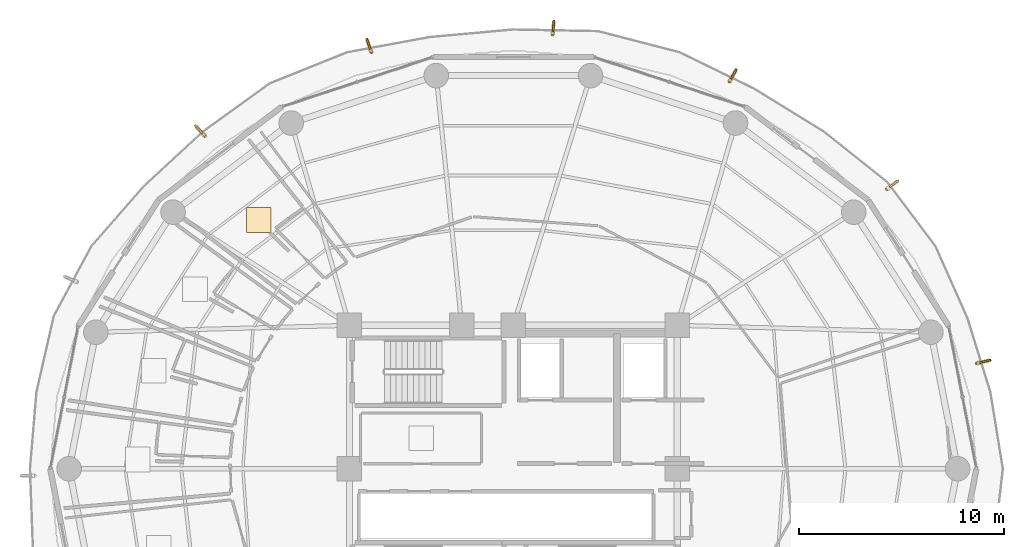
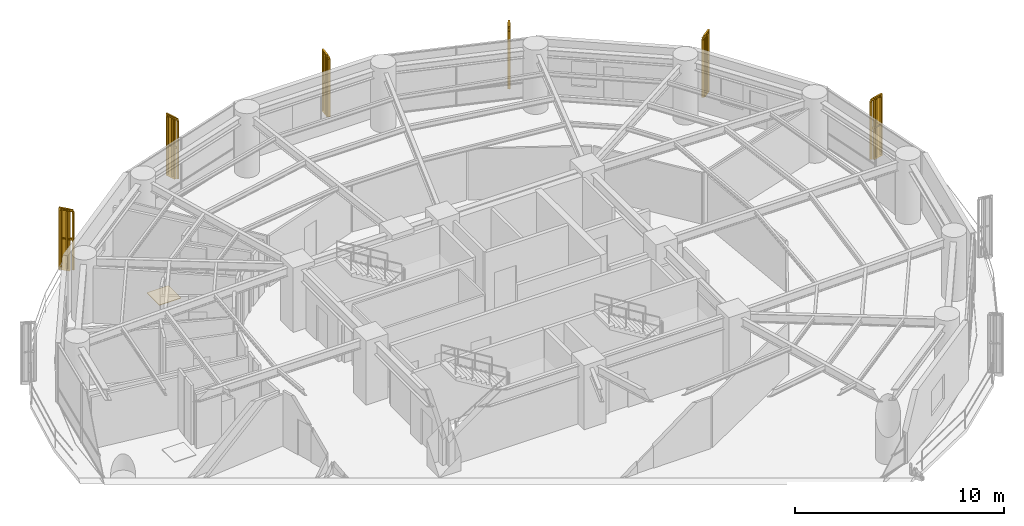
# One storey, part 27 of 27: 6 railings, 6 shading devices, 1 covering.
"""IFC4 building model written with IfcOpenShell, lengths in metres."""

from ifc_helpers import new_model, si_unit, direction, frame, origin, origin_2d, place, context, subcontext, project, spatial, polyline, rectangle, outline, extrude, source, transform, mapped, material, layer, layer_set, type_object, element, save


model = new_model("IFC4")

# Units and contexts
model_context = context("Model", 3, precision=1e-05, world=origin(), true_north=direction((0.0, 1.0)))
body_context = subcontext(model_context, "Body", "Model", "MODEL_VIEW")
ifc_project = project(units=[si_unit("LENGTHUNIT", "METRE"), si_unit("AREAUNIT", "SQUARE_METRE"), si_unit("VOLUMEUNIT", "CUBIC_METRE"), si_unit("PLANEANGLEUNIT", "RADIAN"), si_unit("MASSUNIT", "GRAM", prefix="KILO")], contexts=[model_context])

# Site, building, storey
site_placement = place(None, origin())
site = spatial("IfcSite", under=ifc_project, at=site_placement, CompositionType="ELEMENT")
building_placement = place(site_placement, origin())
building = spatial("IfcBuilding", under=site, at=building_placement, Name="Kelanora Arch Commons", CompositionType="ELEMENT")
storey_placement = place(building_placement, frame((0.0, 0.0, 169.35009765625)))
storey = spatial("IfcBuildingStorey", under=building, at=storey_placement, Name="L43", CompositionType="ELEMENT", Elevation=169.35009765625)

# Railings
ifc_material_1 = material(Name="Anodised bronze vertical shading fin rib assembly")
railing_type = type_object("IfcRailingType", Name="RAIL-FIN-BRZ", PredefinedType="BALUSTRADE", material=ifc_material_1)
railing_1_placement = place(storey_placement, frame((96.6083984375, 63.147216796875, -0.02001953125)))
element("IfcRailing", 1, at=railing_1_placement, inside=storey, type_object=railing_type, Name="Sweeping Bronze Vertical Fin Blade L43-01", PredefinedType="BALUSTRADE", context=body_context, shape_type="SweptSolid", body=[
    extrude(outline(polyline([(0.06982421875, 0.0), (0.034912109375, 0.060546875), (-0.034912109375, 0.060546875), (-0.06982421875, 0.0), (-0.034912109375, -0.060546875), (0.034912109375, -0.060546875), (0.06982421875, 0.0)])), frame((0.0, 0.0, 3.419921875), z_axis=(0.974995732268, 0.22222358574, 0.0), x_axis=(-0.22222358574, 0.974995732268, 0.0)), (0.0, 0.0, 1.0), 0.595458984375),
    extrude(outline(polyline([(0.06982421875, 0.0), (0.034912109375, 0.060546875), (-0.034912109375, 0.060546875), (-0.06982421875, 0.0), (-0.034912109375, -0.060546875), (0.034912109375, -0.060546875), (0.06982421875, 0.0)])), frame((0.0, 0.0, 1.7451171875), z_axis=(0.974995732268, 0.22222358574, 0.0), x_axis=(-0.22222358574, 0.974995732268, 0.0)), (0.0, 0.0, 1.0), 0.595458984375),
    extrude(outline(polyline([(0.080078125, 0.0), (0.0400390625, 0.0693359375), (-0.0400390625, 0.0693359375), (-0.080078125, 0.0), (-0.0400390625, -0.0693359375), (0.0400390625, -0.0693359375), (0.080078125, 0.0)])), origin(), (0.0, 0.0, 1.0), 3.35009765625),
    extrude(outline(polyline([(0.080078125, 0.0), (0.0400390625, 0.0693359375), (-0.0400390625, 0.0693359375), (-0.080078125, 0.0), (-0.0400390625, -0.0693359375), (0.0400390625, -0.0693359375), (0.080078125, 0.0)])), frame((0.290283203125, 0.066162109375, 0.0)), (0.0, 0.0, 1.0), 3.35009765625),
    extrude(outline(polyline([(0.080078125, 0.0), (0.0400390625, 0.0693359375), (-0.0400390625, 0.0693359375), (-0.080078125, 0.0), (-0.0400390625, -0.0693359375), (0.0400390625, -0.0693359375), (0.080078125, 0.0)])), frame((0.58056640625, 0.13232421875, 0.0)), (0.0, 0.0, 1.0), 3.35009765625),
])
railing_2_placement = place(storey_placement, frame((92.22900390625, 71.64990234375, -0.02001953125)))
element("IfcRailing", 2, at=railing_2_placement, inside=storey, type_object=railing_type, Name="Sweeping Bronze Vertical Fin Blade L43-02", PredefinedType="BALUSTRADE", context=body_context, shape_type="SweptSolid", body=[
    extrude(outline(polyline([(0.06982421875, 0.0), (0.034912109375, 0.060546875), (-0.034912109375, 0.060546875), (-0.06982421875, 0.0), (-0.034912109375, -0.060546875), (0.034912109375, -0.060546875), (0.06982421875, 0.0)])), frame((0.0, 0.0, 3.419921875), z_axis=(0.800393463964, 0.599475022702, 0.0), x_axis=(-0.599475022702, 0.800393463964, 0.0)), (0.0, 0.0, 1.0), 0.595458984375),
    extrude(outline(polyline([(0.06982421875, 0.0), (0.034912109375, 0.060546875), (-0.034912109375, 0.060546875), (-0.06982421875, 0.0), (-0.034912109375, -0.060546875), (0.034912109375, -0.060546875), (0.06982421875, 0.0)])), frame((0.0, 0.0, 1.7451171875), z_axis=(0.800393463964, 0.599475022702, 0.0), x_axis=(-0.599475022702, 0.800393463964, 0.0)), (0.0, 0.0, 1.0), 0.595458984375),
    extrude(outline(polyline([(0.080078125, 0.0), (0.0400390625, 0.0693359375), (-0.0400390625, 0.0693359375), (-0.080078125, 0.0), (-0.0400390625, -0.0693359375), (0.0400390625, -0.0693359375), (0.080078125, 0.0)])), origin(), (0.0, 0.0, 1.0), 3.35009765625),
    extrude(outline(polyline([(0.080078125, 0.0), (0.0400390625, 0.0693359375), (-0.0400390625, 0.0693359375), (-0.080078125, 0.0), (-0.0400390625, -0.0693359375), (0.0400390625, -0.0693359375), (0.080078125, 0.0)])), frame((0.23828125, 0.178466796875, 0.0)), (0.0, 0.0, 1.0), 3.35009765625),
    extrude(outline(polyline([(0.080078125, 0.0), (0.0400390625, 0.0693359375), (-0.0400390625, 0.0693359375), (-0.080078125, 0.0), (-0.0400390625, -0.0693359375), (0.0400390625, -0.0693359375), (0.080078125, 0.0)])), frame((0.4765625, 0.35693359375, 0.0)), (0.0, 0.0, 1.0), 3.35009765625),
])
railing_3_placement = place(storey_placement, frame((84.546875, 76.891357421875, -0.02001953125)))
element("IfcRailing", 3, at=railing_3_placement, inside=storey, type_object=railing_type, Name="Sweeping Bronze Vertical Fin Blade L43-03", PredefinedType="BALUSTRADE", context=body_context, shape_type="SweptSolid", body=[
    extrude(outline(polyline([(0.06982421875, 0.0), (0.034912109375, 0.060546875), (-0.034912109375, 0.060546875), (-0.06982421875, 0.0), (-0.034912109375, -0.060546875), (0.034912109375, -0.060546875), (0.06982421875, 0.0)])), frame((0.0, 0.0, 3.419921875), z_axis=(0.487417041542, 0.87316930066, 0.0), x_axis=(-0.87316930066, 0.487417041542, 0.0)), (0.0, 0.0, 1.0), 0.595458984375),
    extrude(outline(polyline([(0.06982421875, 0.0), (0.034912109375, 0.060546875), (-0.034912109375, 0.060546875), (-0.06982421875, 0.0), (-0.034912109375, -0.060546875), (0.034912109375, -0.060546875), (0.06982421875, 0.0)])), frame((0.0, 0.0, 1.7451171875), z_axis=(0.487417041542, 0.87316930066, 0.0), x_axis=(-0.87316930066, 0.487417041542, 0.0)), (0.0, 0.0, 1.0), 0.595458984375),
    extrude(outline(polyline([(0.080078125, 0.0), (0.0400390625, 0.0693359375), (-0.0400390625, 0.0693359375), (-0.080078125, 0.0), (-0.0400390625, -0.0693359375), (0.0400390625, -0.0693359375), (0.080078125, 0.0)])), origin(), (0.0, 0.0, 1.0), 3.35009765625),
    extrude(outline(polyline([(0.080078125, 0.0), (0.0400390625, 0.0693359375), (-0.0400390625, 0.0693359375), (-0.080078125, 0.0), (-0.0400390625, -0.0693359375), (0.0400390625, -0.0693359375), (0.080078125, 0.0)])), frame((0.14501953125, 0.260009765625, 0.0)), (0.0, 0.0, 1.0), 3.35009765625),
    extrude(outline(polyline([(0.080078125, 0.0), (0.0400390625, 0.0693359375), (-0.0400390625, 0.0693359375), (-0.080078125, 0.0), (-0.0400390625, -0.0693359375), (0.0400390625, -0.0693359375), (0.080078125, 0.0)])), frame((0.290283203125, 0.52001953125, 0.0)), (0.0, 0.0, 1.0), 3.35009765625),
])
railing_4_placement = place(storey_placement, frame((75.91796875, 79.18017578125, -0.02001953125)))
element("IfcRailing", 4, at=railing_4_placement, inside=storey, type_object=railing_type, Name="Sweeping Bronze Vertical Fin Blade L43-04", PredefinedType="BALUSTRADE", context=body_context, shape_type="SweptSolid", body=[
    extrude(outline(polyline([(0.06982421875, 0.0), (0.034912109375, 0.060546875), (-0.034912109375, 0.060546875), (-0.06982421875, 0.0), (-0.034912109375, -0.060546875), (0.034912109375, -0.060546875), (0.06982421875, 0.0)])), frame((0.0, 0.0, 3.419921875), z_axis=(0.090203024914, 0.995923397805, 0.0), x_axis=(-0.995923397805, 0.090203024914, 0.0)), (0.0, 0.0, 1.0), 0.595458984375),
    extrude(outline(polyline([(0.06982421875, 0.0), (0.034912109375, 0.060546875), (-0.034912109375, 0.060546875), (-0.06982421875, 0.0), (-0.034912109375, -0.060546875), (0.034912109375, -0.060546875), (0.06982421875, 0.0)])), frame((0.0, 0.0, 1.7451171875), z_axis=(0.090203024914, 0.995923397805, 0.0), x_axis=(-0.995923397805, 0.090203024914, 0.0)), (0.0, 0.0, 1.0), 0.595458984375),
    extrude(outline(polyline([(0.080078125, 0.0), (0.0400390625, 0.0693359375), (-0.0400390625, 0.0693359375), (-0.080078125, 0.0), (-0.0400390625, -0.0693359375), (0.0400390625, -0.0693359375), (0.080078125, 0.0)])), origin(), (0.0, 0.0, 1.0), 3.35009765625),
    extrude(outline(polyline([(0.080078125, 0.0), (0.0400390625, 0.0693359375), (-0.0400390625, 0.0693359375), (-0.080078125, 0.0), (-0.0400390625, -0.0693359375), (0.0400390625, -0.0693359375), (0.080078125, 0.0)])), frame((0.02685546875, 0.29638671875, 0.0)), (0.0, 0.0, 1.0), 3.35009765625),
    extrude(outline(polyline([(0.080078125, 0.0), (0.0400390625, 0.0693359375), (-0.0400390625, 0.0693359375), (-0.080078125, 0.0), (-0.0400390625, -0.0693359375), (0.0400390625, -0.0693359375), (0.080078125, 0.0)])), frame((0.0537109375, 0.593017578125, 0.0)), (0.0, 0.0, 1.0), 3.35009765625),
])
railing_5_placement = place(storey_placement, frame((67.0712890625, 78.322265625, -0.02001953125)))
element("IfcRailing", 5, at=railing_5_placement, inside=storey, type_object=railing_type, Name="Sweeping Bronze Vertical Fin Blade L43-05", PredefinedType="BALUSTRADE", context=body_context, shape_type="SweptSolid", body=[
    extrude(outline(polyline([(0.06982421875, 0.0), (0.034912109375, 0.060546875), (-0.034912109375, 0.060546875), (-0.06982421875, 0.0), (-0.034912109375, -0.060546875), (0.034912109375, -0.060546875), (0.06982421875, 0.0)])), frame((0.0, 0.0, 3.419921875), z_axis=(-0.322248163446, 0.946655228241, 0.0), x_axis=(-0.946655228241, -0.322248163446, 0.0)), (0.0, 0.0, 1.0), 0.595458984375),
    extrude(outline(polyline([(0.06982421875, 0.0), (0.034912109375, 0.060546875), (-0.034912109375, 0.060546875), (-0.06982421875, 0.0), (-0.034912109375, -0.060546875), (0.034912109375, -0.060546875), (0.06982421875, 0.0)])), frame((0.0, 0.0, 1.7451171875), z_axis=(-0.322248163446, 0.946655228241, 0.0), x_axis=(-0.946655228241, -0.322248163446, 0.0)), (0.0, 0.0, 1.0), 0.595458984375),
    extrude(outline(polyline([(0.080078125, 0.0), (0.0400390625, 0.0693359375), (-0.0400390625, 0.0693359375), (-0.080078125, 0.0), (-0.0400390625, -0.0693359375), (0.0400390625, -0.0693359375), (0.080078125, 0.0)])), origin(), (0.0, 0.0, 1.0), 3.35009765625),
    extrude(outline(polyline([(0.080078125, 0.0), (0.0400390625, 0.0693359375), (-0.0400390625, 0.0693359375), (-0.080078125, 0.0), (-0.0400390625, -0.0693359375), (0.0400390625, -0.0693359375), (0.080078125, 0.0)])), frame((-0.095947265625, 0.28173828125, 0.0)), (0.0, 0.0, 1.0), 3.35009765625),
    extrude(outline(polyline([(0.080078125, 0.0), (0.0400390625, 0.0693359375), (-0.0400390625, 0.0693359375), (-0.080078125, 0.0), (-0.0400390625, -0.0693359375), (0.0400390625, -0.0693359375), (0.080078125, 0.0)])), frame((-0.19189453125, 0.563720703125, 0.0)), (0.0, 0.0, 1.0), 3.35009765625),
])
railing_6_placement = place(storey_placement, frame((58.944091796875, 74.243896484375, -0.02001953125)))
element("IfcRailing", 6, at=railing_6_placement, inside=storey, type_object=railing_type, Name="Sweeping Bronze Vertical Fin Blade L43-06", PredefinedType="BALUSTRADE", context=body_context, shape_type="SweptSolid", body=[
    extrude(outline(polyline([(0.06982421875, 0.0), (0.034912109375, 0.060546875), (-0.034912109375, 0.060546875), (-0.06982421875, 0.0), (-0.034912109375, -0.060546875), (0.034912109375, -0.060546875), (0.06982421875, 0.0)])), frame((0.0, 0.0, 3.419921875), z_axis=(-0.679743149234, 0.733450237623, 0.0), x_axis=(-0.733450237623, -0.679743149234, 0.0)), (0.0, 0.0, 1.0), 0.595458984375),
    extrude(outline(polyline([(0.06982421875, 0.0), (0.034912109375, 0.060546875), (-0.034912109375, 0.060546875), (-0.06982421875, 0.0), (-0.034912109375, -0.060546875), (0.034912109375, -0.060546875), (0.06982421875, 0.0)])), frame((0.0, 0.0, 1.7451171875), z_axis=(-0.679743149234, 0.733450237623, 0.0), x_axis=(-0.733450237623, -0.679743149234, 0.0)), (0.0, 0.0, 1.0), 0.595458984375),
    extrude(outline(polyline([(0.080078125, 0.0), (0.0400390625, 0.0693359375), (-0.0400390625, 0.0693359375), (-0.080078125, 0.0), (-0.0400390625, -0.0693359375), (0.0400390625, -0.0693359375), (0.080078125, 0.0)])), origin(), (0.0, 0.0, 1.0), 3.35009765625),
    extrude(outline(polyline([(0.080078125, 0.0), (0.0400390625, 0.0693359375), (-0.0400390625, 0.0693359375), (-0.080078125, 0.0), (-0.0400390625, -0.0693359375), (0.0400390625, -0.0693359375), (0.080078125, 0.0)])), frame((-0.202392578125, 0.21826171875, 0.0)), (0.0, 0.0, 1.0), 3.35009765625),
    extrude(outline(polyline([(0.080078125, 0.0), (0.0400390625, 0.0693359375), (-0.0400390625, 0.0693359375), (-0.080078125, 0.0), (-0.0400390625, -0.0693359375), (0.0400390625, -0.0693359375), (0.080078125, 0.0)])), frame((-0.40478515625, 0.436767578125, 0.0)), (0.0, 0.0, 1.0), 3.35009765625),
])

# Shading devices
ifc_material_2 = material(Name="Terracotta ceramic-clad extruded aluminium fin", Category="masonry")
shading_device_type = type_object("IfcShadingDeviceType", Name="SHD-FIN-WAIST", PredefinedType="USERDEFINED", material=ifc_material_2)
shared_shape_1 = source(origin(), body_context, "Body", "SweptSolid", [
    extrude(rectangle(XDim=0.56005859375, YDim=0.090087890625, at=origin_2d()), origin(), (0.0, 0.0, 1.0), 3.610107421875),
])
for number, where, z_axis, x_axis, name in (
    (7, (97.03515625, 63.244384765625, -0.14013671875), (0.0, 0.0, 1.0), (0.975033218117, 0.222059054235, 0.0), "Sweeping Terracotta Fin L43-01"),
    (8, (92.579345703125, 71.912353515625, -0.14013671875), (0.0, 0.0, 1.0), (0.800417613178, 0.599442778349, 0.0), "Sweeping Terracotta Fin L43-02"),
    (9, (84.76025390625, 77.273681640625, -0.14013671875), (0.0, 0.0, 1.0), (0.487402531354, 0.87317740032, 0.0), "Sweeping Terracotta Fin L43-03"),
    (10, (75.957275390625, 79.6162109375, -0.14013671875), (0.0, 0.0, 1.0), (0.090111123946, 0.995931717208, 0.0), "Sweeping Terracotta Fin L43-04"),
    (11, (66.93017578125, 78.736572265625, -0.14013671875), (0.0, 0.0, 1.0), (-0.322761315426, 0.946480392435, 0.0), "Sweeping Terracotta Fin L43-05"),
    (12, (58.646728515625, 74.56494140625, -0.14013671875), (0.0, 0.0, 1.0), (-0.679825391166, 0.733374009306, 0.0), "Sweeping Terracotta Fin L43-06"),
):
    element("IfcShadingDevice", number, at=place(storey_placement, frame(where, z_axis=z_axis, x_axis=x_axis)), inside=storey, type_object=shading_device_type, Name=name, ObjectType="FIN", PredefinedType="USERDEFINED", context=body_context, shape_type="MappedRepresentation", body=[
        mapped(shared_shape_1, transform((0.0, 0.0, 0.0), scale=1.0)),
    ])

# Covering
ifc_material_3 = material(Name="Polished local granite terrazzo flooring", Category="masonry")
ifc_layer = layer(ifc_material_3, 0.030029296875)
ifc_layer_set = layer_set([ifc_layer], Name="Polished local granite terrazzo flooring")
covering_type = type_object("IfcCoveringType", Name="COV-FLR-TER", PredefinedType="FLOORING", material=ifc_layer_set)
shared_shape_2 = source(origin(), body_context, "Body", "SweptSolid", [
    extrude(rectangle(XDim=1.199951171875, YDim=1.199951171875, at=origin_2d()), origin(), (0.0, 0.0, 1.0), 0.030029296875),
])
covering_placement = place(storey_placement, frame((61.57958984375, 70.1376953125, 0.0), z_axis=(0.0, 0.0, 1.0), x_axis=(1.0, 0.0, 0.0)))
element("IfcCovering", 13, at=covering_placement, inside=storey, type_object=covering_type, Name="Cluster Bedroom L43-01 Terrazzo Finish", PredefinedType="FLOORING", context=body_context, shape_type="MappedRepresentation", body=[
    mapped(shared_shape_2, transform((0.0, 0.0, 0.0), scale=1.0)),
])

save(model, "model.ifc")
